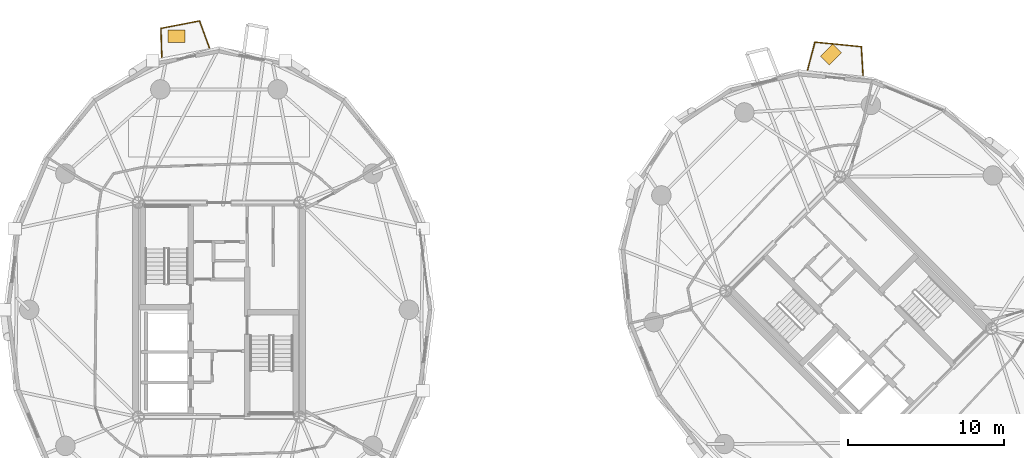
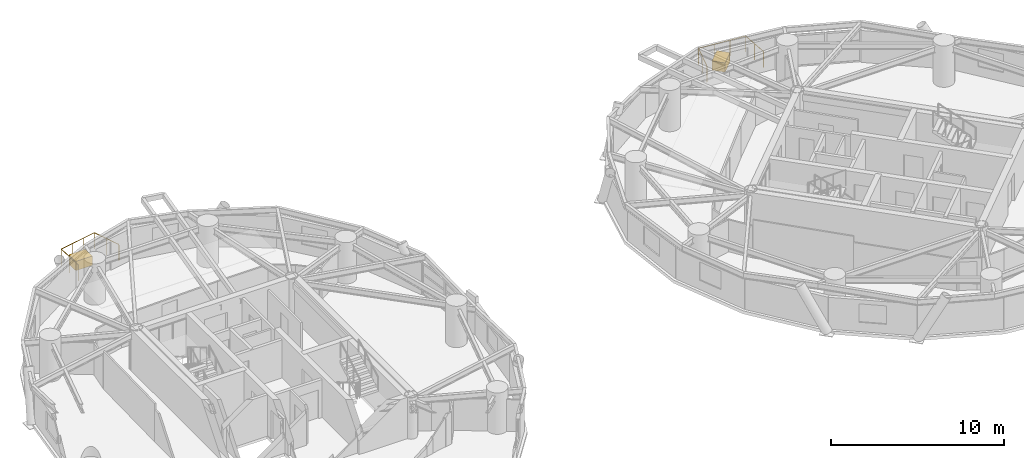
# One storey, part 17 of 17: 2 coverings, 2 railings.
"""IFC4 building model written with IfcOpenShell, lengths in metres."""

from ifc_helpers import new_model, si_unit, direction, frame, origin, origin_2d, place, context, subcontext, project, spatial, rectangle, circle, extrude, source, transform, mapped, material, layer, layer_set, type_object, element, save


model = new_model("IFC4")

# Units and contexts
model_context = context("Model", 3, precision=1e-05, world=origin(), true_north=direction((0.0, 1.0)))
body_context = subcontext(model_context, "Body", "Model", "MODEL_VIEW")
ifc_project = project(units=[si_unit("LENGTHUNIT", "METRE"), si_unit("AREAUNIT", "SQUARE_METRE"), si_unit("VOLUMEUNIT", "CUBIC_METRE"), si_unit("PLANEANGLEUNIT", "RADIAN"), si_unit("MASSUNIT", "GRAM", prefix="KILO")], contexts=[model_context])

# Site, building, storey
site_placement = place(None, origin())
site = spatial("IfcSite", under=ifc_project, at=site_placement, CompositionType="ELEMENT")
building_placement = place(site_placement, origin())
building = spatial("IfcBuilding", under=site, at=building_placement, Name="Cununo Teusaquillo Station Towers", CompositionType="ELEMENT")
storey_placement = place(building_placement, frame((0.0, 0.0, 186.52001953125)))
storey = spatial("IfcBuildingStorey", under=building, at=storey_placement, Name="L59", CompositionType="ELEMENT", Elevation=186.52001953125)

# Railings
ifc_material_1 = material(Name="Anodised dark bronze aluminium EN AW-6063-T6", Category="aluminium")
railing_type = type_object("IfcRailingType", Name="RL-EXT-GUARD", PredefinedType="GUARDRAIL", material=ifc_material_1)
railing_1_placement = place(storey_placement, frame((12.831298828125, 40.6875, 0.0)))
element("IfcRailing", 1, at=railing_1_placement, inside=storey, type_object=railing_type, Name="L59 Tower A Balcony Guardrail C05", PredefinedType="GUARDRAIL", context=body_context, shape_type="SweptSolid", body=[
    extrude(circle(Radius=0.02392578125, at=origin_2d()), frame((0.0, 0.0, 1.1259765625), z_axis=(-0.030460792522, 0.999535962394, 0.0), x_axis=(-0.999535962394, -0.030460792522, 0.0)), (0.0, 0.0, 1.0), 1.8515625),
    extrude(circle(Radius=0.02392578125, at=origin_2d()), frame((-0.056396484375, 1.8505859375, 1.1259765625), z_axis=(0.981842829823, 0.189696224332, 0.0), x_axis=(-0.189696224332, 0.981842829823, 0.0)), (0.0, 0.0, 1.0), 2.517333984375),
    extrude(circle(Radius=0.02392578125, at=origin_2d()), frame((2.415283203125, 2.328125, 1.1259765625), z_axis=(0.3440608985, -0.938947335117, 0.0), x_axis=(0.938947335117, 0.3440608985, 0.0)), (0.0, 0.0, 1.0), 1.851318359375),
    extrude(circle(Radius=0.02099609375, at=origin_2d()), origin(), (0.0, 0.0, 1.0), 1.101806640625),
    extrude(circle(Radius=0.02099609375, at=origin_2d()), frame((-0.0283203125, 0.92529296875, 0.0)), (0.0, 0.0, 1.0), 1.101806640625),
    extrude(circle(Radius=0.02099609375, at=origin_2d()), frame((-0.056396484375, 1.8505859375, 0.0)), (0.0, 0.0, 1.0), 1.101806640625),
    extrude(circle(Radius=0.02099609375, at=origin_2d()), frame((0.767578125, 2.009765625, 0.0)), (0.0, 0.0, 1.0), 1.101806640625),
    extrude(circle(Radius=0.02099609375, at=origin_2d()), frame((1.59130859375, 2.1689453125, 0.0)), (0.0, 0.0, 1.0), 1.101806640625),
    extrude(circle(Radius=0.02099609375, at=origin_2d()), frame((2.415283203125, 2.328125, 0.0)), (0.0, 0.0, 1.0), 1.101806640625),
    extrude(circle(Radius=0.02099609375, at=origin_2d()), frame((2.73388671875, 1.458984375, 0.0)), (0.0, 0.0, 1.0), 1.101806640625),
    extrude(circle(Radius=0.02099609375, at=origin_2d()), frame((3.05224609375, 0.58984375, 0.0)), (0.0, 0.0, 1.0), 1.101806640625),
])
railing_2_placement = place(storey_placement, frame((54.22314453125, 39.859619140625, 0.0)))
element("IfcRailing", 2, at=railing_2_placement, inside=storey, type_object=railing_type, Name="L59 Tower B Balcony Guardrail C02", PredefinedType="GUARDRAIL", context=body_context, shape_type="SweptSolid", body=[
    extrude(circle(Radius=0.02392578125, at=origin_2d()), frame((0.0, 0.0, 1.1259765625), z_axis=(0.256314588121, 0.966593416032, 0.0), x_axis=(-0.966593416032, 0.256314588121, 0.0)), (0.0, 0.0, 1.0), 1.8603515625),
    extrude(circle(Radius=0.02392578125, at=origin_2d()), frame((0.476806640625, 1.798095703125, 1.1259765625), z_axis=(0.995126715076, -0.098604365732, 0.0), x_axis=(0.098604365732, 0.995126715076, 0.0)), (0.0, 0.0, 1.0), 2.983642578125),
    extrude(circle(Radius=0.02392578125, at=origin_2d()), frame((3.44580078125, 1.50390625, 1.1259765625), z_axis=(0.061553016356, -0.998103815331, 0.0), x_axis=(0.998103815331, 0.061553016356, 0.0)), (0.0, 0.0, 1.0), 1.860107421875),
    extrude(circle(Radius=0.02099609375, at=origin_2d()), origin(), (0.0, 0.0, 1.0), 1.101806640625),
    extrude(circle(Radius=0.02099609375, at=origin_2d()), frame((0.23828125, 0.89892578125, 0.0)), (0.0, 0.0, 1.0), 1.101806640625),
    extrude(circle(Radius=0.02099609375, at=origin_2d()), frame((0.476806640625, 1.798095703125, 0.0)), (0.0, 0.0, 1.0), 1.101806640625),
    extrude(circle(Radius=0.02099609375, at=origin_2d()), frame((1.466552734375, 1.699951171875, 0.0)), (0.0, 0.0, 1.0), 1.101806640625),
    extrude(circle(Radius=0.02099609375, at=origin_2d()), frame((2.4560546875, 1.60205078125, 0.0)), (0.0, 0.0, 1.0), 1.101806640625),
    extrude(circle(Radius=0.02099609375, at=origin_2d()), frame((3.44580078125, 1.50390625, 0.0)), (0.0, 0.0, 1.0), 1.101806640625),
    extrude(circle(Radius=0.02099609375, at=origin_2d()), frame((3.5029296875, 0.57568359375, 0.0)), (0.0, 0.0, 1.0), 1.101806640625),
    extrude(circle(Radius=0.02099609375, at=origin_2d()), frame((3.560302734375, -0.352783203125, 0.0)), (0.0, 0.0, 1.0), 1.101806640625),
])

# Coverings
ifc_material_2 = material(Name="Architectural GRC planter shell and engineered root-zone substrate", Category="concrete")
ifc_layer = layer(ifc_material_2, 0.64990234375)
ifc_layer_set = layer_set([ifc_layer], Name="Architectural GRC planter shell and engineered root-zone substrate")
covering_type = type_object("IfcCoveringType", Name="COV-TREE-PLANTER", PredefinedType="CLADDING", material=ifc_layer_set)
shared_shape = source(origin(), body_context, "Body", "SweptSolid", [
    extrude(rectangle(XDim=1.10009765625, YDim=0.800048828125, at=origin_2d()), origin(), (0.0, 0.0, 1.0), 0.64990234375),
])
for number, where, z_axis, x_axis, name in (
    (3, (13.762939453125, 42.02978515625, 0.0), (0.0, 0.0, 1.0), (1.0, 0.0, 0.0), "L59 Tower A Balcony Tree PLANTER C05"),
    (4, (55.733154296875, 40.860595703125, 0.0), (0.0, 0.0, 1.0), (0.707106781187, 0.707106781187, 0.0), "L59 Tower B Balcony Tree PLANTER C02"),
):
    element("IfcCovering", number, at=place(storey_placement, frame(where, z_axis=z_axis, x_axis=x_axis)), inside=storey, type_object=covering_type, Name=name, PredefinedType="CLADDING", context=body_context, shape_type="MappedRepresentation", body=[
        mapped(shared_shape, transform((0.0, 0.0, 0.0), x_axis=(1.0, 0.0, 0.0), y_axis=(0.0, 1.0, 0.0), z_axis=(0.0, 0.0, 1.0), scale=1.0)),
    ])

save(model, "model.ifc")
